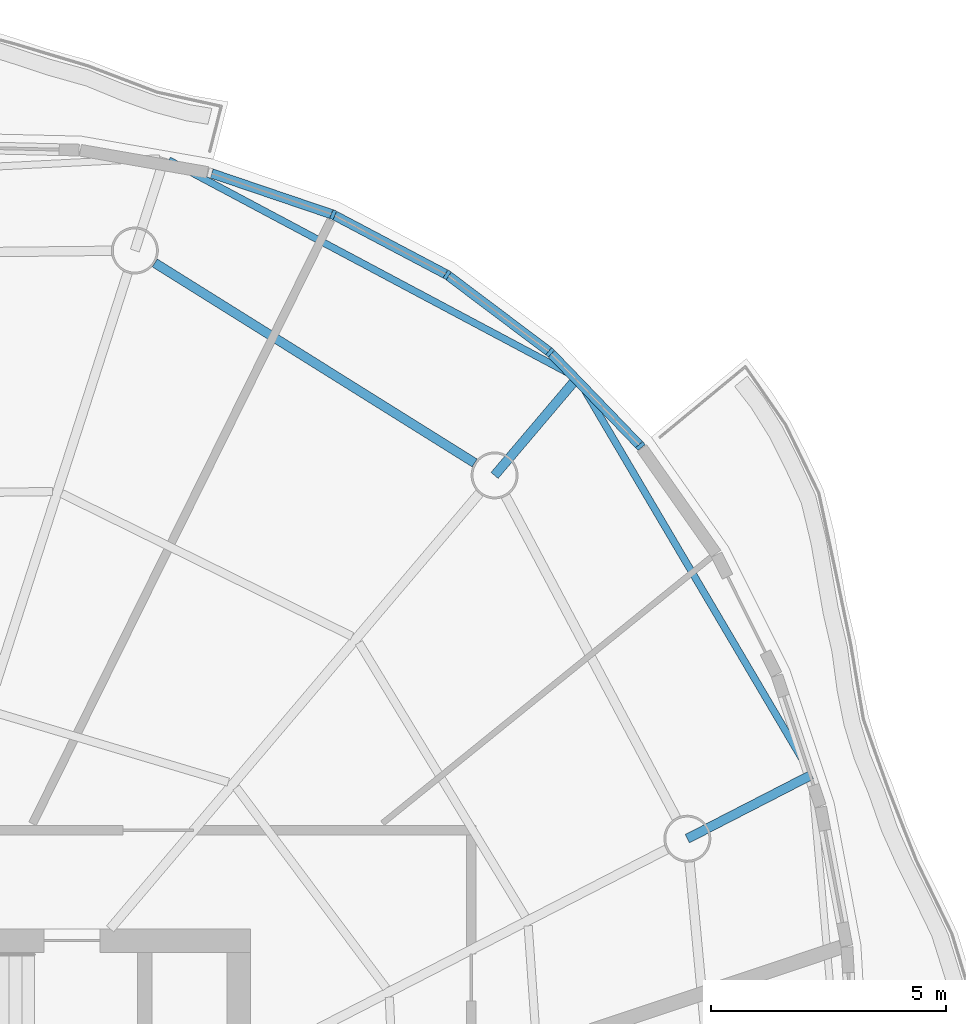
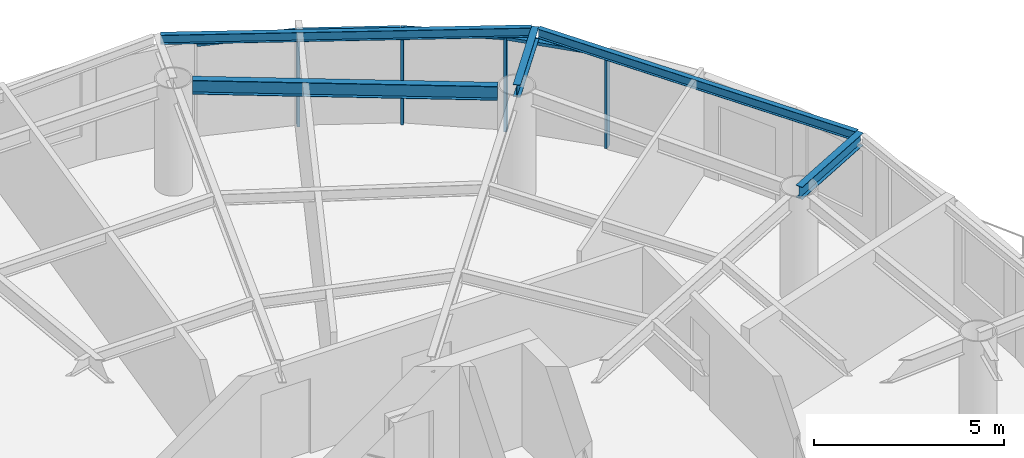
# One storey, part 6 of 14: 8 members, 5 beams, 4 elements without a shape of their own.
"""IFC4 building model written with IfcOpenShell, lengths in metres."""

from ifc_helpers import new_model, si_unit, direction, frame, origin, origin_2d, place, context, subcontext, project, spatial, rectangle, i_section, extrude, material, material_profile, profile_set, type_object, element, aggregate, save


model = new_model("IFC4")

# Units and contexts
model_context = context("Model", 3, precision=1e-05, world=origin(), true_north=direction((0.0, 1.0)))
body_context = subcontext(model_context, "Body", "Model", "MODEL_VIEW")
ifc_project = project(units=[si_unit("LENGTHUNIT", "METRE"), si_unit("AREAUNIT", "SQUARE_METRE"), si_unit("VOLUMEUNIT", "CUBIC_METRE"), si_unit("PLANEANGLEUNIT", "RADIAN"), si_unit("MASSUNIT", "GRAM", prefix="KILO")], contexts=[model_context])

# Site, building, storey
site_placement = place(None, origin())
site = spatial("IfcSite", under=ifc_project, at=site_placement, CompositionType="ELEMENT")
building_placement = place(site_placement, origin())
building = spatial("IfcBuilding", under=site, at=building_placement, Name="Vermilion Reach Broadcast Tower", CompositionType="ELEMENT")
storey_placement = place(building_placement, frame((0.0, 0.0, 264.89990234375)))
storey = spatial("IfcBuildingStorey", under=building, at=storey_placement, Name="L65", CompositionType="ELEMENT", Elevation=264.89990234375)

# Beams
ifc_material_1 = material(Name="Steel S355J2", Category="steel")
ifc_material_profile_1 = material_profile(ifc_material_1, i_section(OverallWidth=0.14990234375, OverallDepth=0.300048828125, WebThickness=0.006591796875, FlangeThickness=0.009033203125, at=origin_2d()), Name="S355J2 HN 300x150x6.5x9")
ifc_profile_set_1 = profile_set([ifc_material_profile_1], Name="Steel S355J2")
beam_type_1 = type_object("IfcBeamType", Name="EB5 HN 300x150x6.5x9", PredefinedType="BEAM", material=ifc_profile_set_1)
beam_1_placement = place(storey_placement, frame((15.49853515625, 11.166015625, 3.300048828125), z_axis=(-0.507958925358, 0.861381291966, 0.0), x_axis=(-0.861381291966, -0.507958925358, 0.0)))
element("IfcBeam", 1, at=beam_1_placement, inside=storey, type_object=beam_type_1, Name="Edge beam EB5-15", PredefinedType="BEAM", context=body_context, shape_type="SweptSolid", body=[
    extrude(i_section(OverallWidth=0.14990234375, OverallDepth=0.300048828125, WebThickness=0.006591796875, FlangeThickness=0.009033203125, at=origin_2d()), origin(), (0.0, 0.0, 1.0), 9.611572265625),
])
beam_2_placement = place(storey_placement, frame((10.47216796875, 19.584716796875, 3.300048828125), z_axis=(-0.882703900247, 0.469929595247, 0.0), x_axis=(-0.469929595247, -0.882703900247, 0.0)))
element("IfcBeam", 2, at=beam_2_placement, inside=storey, type_object=beam_type_1, Name="Edge beam EB5-16", PredefinedType="BEAM", context=body_context, shape_type="SweptSolid", body=[
    extrude(i_section(OverallWidth=0.14990234375, OverallDepth=0.300048828125, WebThickness=0.006591796875, FlangeThickness=0.009033203125, at=origin_2d()), origin(), (0.0, 0.0, 1.0), 9.756103515625),
])
ifc_material_2 = material(Name="Steel S355J2", Category="steel")
ifc_material_profile_2 = material_profile(ifc_material_2, i_section(OverallWidth=0.199951171875, OverallDepth=0.39990234375, WebThickness=0.008056640625, FlangeThickness=0.012939453125, at=origin_2d()), Name="S355J2 HN 400x200x8x13")
ifc_profile_set_2 = profile_set([ifc_material_profile_2], Name="Steel S355J2")
beam_type_2 = type_object("IfcBeamType", Name="GC5 HN 400x200x8x13", PredefinedType="BEAM", material=ifc_profile_set_2)
beam_3_placement = place(storey_placement, frame((12.905517578125, 9.72021484375, 3.25), z_axis=(0.8893278804, 0.457270074621, 0.0), x_axis=(-0.457270074621, 0.8893278804, 0.0)))
element("IfcBeam", 3, at=beam_3_placement, inside=storey, type_object=beam_type_2, Name="Cantilever girder GC5-15", PredefinedType="BEAM", context=body_context, shape_type="SweptSolid", body=[
    extrude(i_section(OverallWidth=0.199951171875, OverallDepth=0.39990234375, WebThickness=0.008056640625, FlangeThickness=0.012939453125, at=origin_2d()), origin(), (0.0, 0.0, 1.0), 2.972900390625),
])
beam_4_placement = place(storey_placement, frame((8.799560546875, 17.457275390625, 3.25), z_axis=(0.646688649709, 0.762754082478, 0.0), x_axis=(-0.762754082478, 0.646688649709, 0.0)))
element("IfcBeam", 4, at=beam_4_placement, inside=storey, type_object=beam_type_2, Name="Cantilever girder GC5-16", PredefinedType="BEAM", context=body_context, shape_type="SweptSolid", body=[
    extrude(i_section(OverallWidth=0.199951171875, OverallDepth=0.39990234375, WebThickness=0.008056640625, FlangeThickness=0.012939453125, at=origin_2d()), origin(), (0.0, 0.0, 1.0), 2.72607421875),
])
ifc_material_3 = material(Name="Steel S355J2", Category="steel")
ifc_material_profile_3 = material_profile(ifc_material_3, i_section(OverallWidth=0.199951171875, OverallDepth=0.449951171875, WebThickness=0.009033203125, FlangeThickness=0.013916015625, at=origin_2d()), Name="S355J2 HN 450x200x9x14")
ifc_profile_set_3 = profile_set([ifc_material_profile_3], Name="Steel S355J2")
beam_type_3 = type_object("IfcBeamType", Name="RB5 HN 450x200x9x14", PredefinedType="BEAM", material=ifc_profile_set_3)
beam_5_placement = place(storey_placement, frame((8.375732421875, 17.722412109375, 3.22509765625), z_axis=(-0.847914653245, 0.530132757724, 0.0), x_axis=(-0.530132757724, -0.847914653245, 0.0)))
element("IfcBeam", 5, at=beam_5_placement, inside=storey, type_object=beam_type_3, Name="Ring beam RB5-16", PredefinedType="BEAM", context=body_context, shape_type="SweptSolid", body=[
    extrude(i_section(OverallWidth=0.199951171875, OverallDepth=0.449951171875, WebThickness=0.009033203125, FlangeThickness=0.013916015625, at=origin_2d()), origin(), (0.0, 0.0, 1.0), 8.035400390625),
])

# Curtain wall, member
ifc_material_4 = material(Name="Low-e laminated clear glass in aluminium frame", Category="aluminium")
curtain_wall_type = type_object("IfcCurtainWallType", Name="Slot curtain wall", PredefinedType="NOTDEFINED", material=ifc_material_4)
placement = place(storey_placement, origin())
curtain_wall_1 = element("IfcCurtainWall", 6, at=placement, inside=storey, type_object=curtain_wall_type, Name="Slot curtain wall L65 46", PredefinedType="NOTDEFINED")
ifc_material_5 = material(Name="Anodised aluminium", Category="aluminium")
ifc_material_profile_4 = material_profile(ifc_material_5, rectangle(XDim=0.199951171875, YDim=0.080078125, at=origin_2d()), Name="Slot mullion 80 x 200")
ifc_profile_set_4 = profile_set([ifc_material_profile_4], Name="Anodised aluminium")
member_type_1 = type_object("IfcMemberType", Name="Slot mullion 80 x 200", PredefinedType="MULLION", material=ifc_profile_set_4)
member_1_placement = place(storey_placement, frame((11.9052734375, 18.083251953125, 0.0), z_axis=(0.0, 0.0, 1.0), x_axis=(-0.771330080329, -0.636435312644, 0.0)))
member_1 = element("IfcMember", 7, at=member_1_placement, type_object=member_type_1, Name="Slot mullion L65 46", PredefinedType="MULLION", context=body_context, shape_type="SweptSolid", body=[
    extrude(rectangle(XDim=0.199951171875, YDim=0.080078125, at=origin_2d()), origin(), (0.0, 0.0, 1.0), 3.050048828125),
])

curtain_wall_2 = element("IfcCurtainWall", 8, at=placement, inside=storey, type_object=curtain_wall_type, Name="Slot curtain wall L65 47", PredefinedType="NOTDEFINED")
member_2_placement = place(storey_placement, frame((9.98291015625, 20.076904296875, 0.0), z_axis=(0.0, 0.0, 1.0), x_axis=(-0.662736439302, -0.748852730529, 0.0)))
member_2 = element("IfcMember", 9, at=member_2_placement, type_object=member_type_1, Name="Slot mullion L65 47", PredefinedType="MULLION", context=body_context, shape_type="SweptSolid", body=[
    extrude(rectangle(XDim=0.199951171875, YDim=0.080078125, at=origin_2d()), origin(), (0.0, 0.0, 1.0), 3.050048828125),
])

curtain_wall_3 = element("IfcCurtainWall", 10, at=placement, inside=storey, type_object=curtain_wall_type, Name="Slot curtain wall L65 00", PredefinedType="NOTDEFINED")
member_3_placement = place(storey_placement, frame((7.789306640625, 21.728515625, 0.0), z_axis=(0.0, 0.0, 1.0), x_axis=(-0.535826855265, -0.844327887243, 0.0)))
member_3 = element("IfcMember", 11, at=member_3_placement, type_object=member_type_1, Name="Slot mullion L65 00", PredefinedType="MULLION", context=body_context, shape_type="SweptSolid", body=[
    extrude(rectangle(XDim=0.199951171875, YDim=0.080078125, at=origin_2d()), origin(), (0.0, 0.0, 1.0), 3.050048828125),
])

curtain_wall_4 = element("IfcCurtainWall", 12, at=placement, inside=storey, type_object=curtain_wall_type, Name="Slot curtain wall L65 01", PredefinedType="NOTDEFINED")
member_4_placement = place(storey_placement, frame((5.361083984375, 23.01025390625, 0.0), z_axis=(0.0, 0.0, 1.0), x_axis=(-0.395402721494, -0.91850785943, 0.0)))
member_4 = element("IfcMember", 13, at=member_4_placement, type_object=member_type_1, Name="Slot mullion L65 01", PredefinedType="MULLION", context=body_context, shape_type="SweptSolid", body=[
    extrude(rectangle(XDim=0.199951171875, YDim=0.080078125, at=origin_2d()), origin(), (0.0, 0.0, 1.0), 3.050048828125),
])

# Member
ifc_material_6 = material(Name="Anodised aluminium", Category="aluminium")
ifc_material_profile_5 = material_profile(ifc_material_6, rectangle(XDim=0.199951171875, YDim=0.10009765625, at=origin_2d()), Name="Slot transom 200 x 100")
ifc_profile_set_5 = profile_set([ifc_material_profile_5], Name="Anodised aluminium")
member_type_2 = type_object("IfcMemberType", Name="Slot transom 200 x 100", PredefinedType="USERDEFINED", material=ifc_profile_set_5)
member_5_placement = place(storey_placement, frame((11.87744140625, 18.112060546875, 3.0), z_axis=(-0.69405325205, 0.719923664924, 0.0), x_axis=(-0.719923664924, -0.69405325205, 0.0)))
member_5 = element("IfcMember", 14, at=member_5_placement, type_object=member_type_2, Name="Slot transom L65 46.1", ObjectType="TRANSOM", PredefinedType="USERDEFINED", context=body_context, shape_type="SweptSolid", body=[
    extrude(rectangle(XDim=0.199951171875, YDim=0.10009765625, at=origin_2d()), origin(), (0.0, 0.0, 1.0), 2.689453125),
])

aggregate(curtain_wall_1, [member_1, member_5])

member_6_placement = place(storey_placement, frame((9.950927734375, 20.10107421875, 3.0), z_axis=(-0.798910634815, 0.601449746512, 0.0), x_axis=(-0.601449746512, -0.798910634815, 0.0)))
member_6 = element("IfcMember", 15, at=member_6_placement, type_object=member_type_2, Name="Slot transom L65 47.1", ObjectType="TRANSOM", PredefinedType="USERDEFINED", context=body_context, shape_type="SweptSolid", body=[
    extrude(rectangle(XDim=0.199951171875, YDim=0.10009765625, at=origin_2d()), origin(), (0.0, 0.0, 1.0), 2.665771484375),
])

aggregate(curtain_wall_2, [member_2, member_6])

member_7_placement = place(storey_placement, frame((7.75390625, 21.7470703125, 3.0), z_axis=(-0.884355346262, 0.466814333047, 0.0), x_axis=(-0.466814333047, -0.884355346262, 0.0)))
member_7 = element("IfcMember", 16, at=member_7_placement, type_object=member_type_2, Name="Slot transom L65 00.1", ObjectType="TRANSOM", PredefinedType="USERDEFINED", context=body_context, shape_type="SweptSolid", body=[
    extrude(rectangle(XDim=0.199951171875, YDim=0.10009765625, at=origin_2d()), origin(), (0.0, 0.0, 1.0), 2.665771484375),
])

aggregate(curtain_wall_3, [member_3, member_7])

member_8_placement = place(storey_placement, frame((5.3232421875, 23.02294921875, 3.0), z_axis=(-0.946907660479, 0.321505649292, 0.0), x_axis=(-0.321505649292, -0.946907660479, 0.0)))
member_8 = element("IfcMember", 17, at=member_8_placement, type_object=member_type_2, Name="Slot transom L65 01.1", ObjectType="TRANSOM", PredefinedType="USERDEFINED", context=body_context, shape_type="SweptSolid", body=[
    extrude(rectangle(XDim=0.199951171875, YDim=0.10009765625, at=origin_2d()), origin(), (0.0, 0.0, 1.0), 2.689697265625),
])

aggregate(curtain_wall_4, [member_4, member_8])

save(model, "model.ifc")
